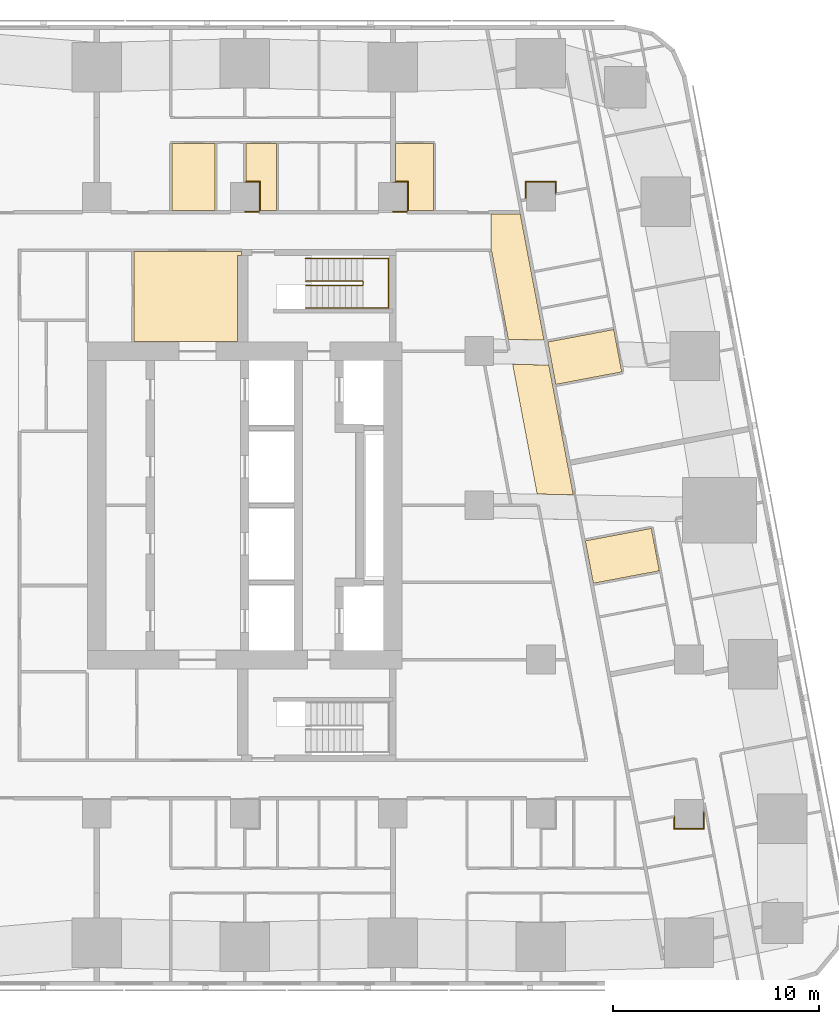
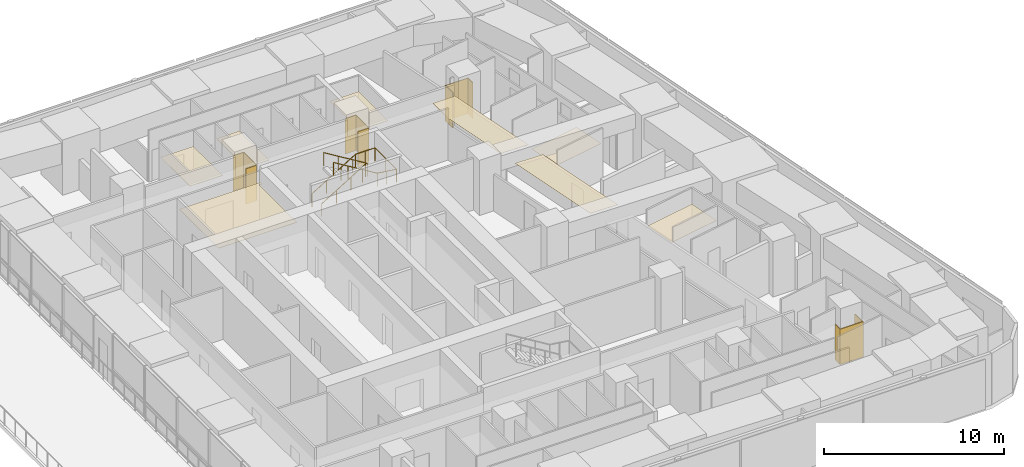
# One storey, part 17 of 17: 12 coverings, 2 railings.
"""IFC4 building model written with IfcOpenShell, lengths in metres."""

import ifcopenshell
import ifcopenshell.guid

model = None  # the IFC model being written
_history = None  # IfcOwnerHistory: only IFC2X3 demands one
_inside = {}  # id of a spatial element -> (the spatial element, [elements in it])
_under = {}  # id of a project, library or spatial element -> (it, [spatial elements below it])
_declared = {}  # id of a project -> (the project, [libraries it declares])
_typed = {}  # id of a type object -> (the type object, [elements of that type])
_made_of = {}  # id of a material, layer set ... -> (it, [elements and type objects made of it])


def new_model(schema):
    """Start an empty IFC model of exactly this schema.

    Asked for "IFC4X3", IfcOpenShell would pick the latest addendum, in which some entities
    have other attributes; the version numbers below select the first issue.
    IFC2X3 requires an IfcOwnerHistory on every rooted entity: one is made here for all.
    """
    global model, _history
    if schema == "IFC4X3":
        model = ifcopenshell.file(schema_version=(4, 3, 0, 0))
    else:
        model = ifcopenshell.file(schema=schema)
    _inside.clear()
    _under.clear()
    _declared.clear()
    _typed.clear()
    _made_of.clear()
    _history = None
    if model.schema == "IFC2X3":
        org = make("IfcOrganization", Name="unknown")
        user = make(
            "IfcPersonAndOrganization",
            ThePerson=make("IfcPerson", FamilyName="unknown"),
            TheOrganization=org,
        )
        app = make(
            "IfcApplication",
            ApplicationDeveloper=org,
            Version="unknown",
            ApplicationFullName="unknown",
            ApplicationIdentifier="unknown",
        )
        _history = make(
            "IfcOwnerHistory",
            OwningUser=user,
            OwningApplication=app,
            ChangeAction="ADDED",
            CreationDate=0,
        )
    return model


def make(cls, **values):
    """One entity of the class cls with the attributes given. An attribute that is None is left unset."""
    return model.create_entity(
        cls, **{name: value for name, value in values.items() if value is not None}
    )


def rooted(cls, **values):
    """An entity with a GlobalId (a new one), such as an element, a storey or a relation."""
    return make(cls, GlobalId=ifcopenshell.guid.new(), OwnerHistory=_history, **values)


def si_unit(unit_type, name, prefix=None):
    """IfcSIUnit, for example si_unit("LENGTHUNIT", "METRE", prefix="MILLI")."""
    return make("IfcSIUnit", UnitType=unit_type, Prefix=prefix, Name=name)


def assignment(units):
    """IfcUnitAssignment: the units of a project."""
    return None if units is None else make("IfcUnitAssignment", Units=units)


def point(xyz):
    """IfcCartesianPoint."""
    return None if xyz is None else make("IfcCartesianPoint", Coordinates=xyz)


def direction(xyz):
    """IfcDirection."""
    return None if xyz is None else make("IfcDirection", DirectionRatios=xyz)


def frame(location, z_axis=None, x_axis=None):
    """IfcAxis2Placement3D, a coordinate frame: its origin and axes. An axis left out is left unset."""
    return make(
        "IfcAxis2Placement3D",
        Location=point(location),
        Axis=direction(z_axis),
        RefDirection=direction(x_axis),
    )


def frame_2d(location, x_axis=None):
    """IfcAxis2Placement2D, a coordinate frame in the plane: its origin and x axis."""
    return make(
        "IfcAxis2Placement2D", Location=point(location), RefDirection=direction(x_axis)
    )


def origin():
    """The frame at (0, 0, 0) with its axes left unset."""
    return frame((0.0, 0.0, 0.0))


def origin_2d():
    """The frame at (0, 0) in the plane with its x axis left unset."""
    return frame_2d((0.0, 0.0))


def place(relative_to, where):
    """IfcLocalPlacement: puts the frame where relative to a parent placement (None: the world)."""
    return make(
        "IfcLocalPlacement", PlacementRelTo=relative_to, RelativePlacement=where
    )


def context(
    kind, dimensions, precision=None, world=None, true_north=None, identifier=None
):
    """IfcGeometricRepresentationContext, for example the 3D "Model" context."""
    return make(
        "IfcGeometricRepresentationContext",
        ContextIdentifier=identifier,
        ContextType=kind,
        CoordinateSpaceDimension=dimensions,
        Precision=precision,
        WorldCoordinateSystem=world,
        TrueNorth=true_north,
    )


def subcontext(parent, identifier, kind, view, scale=None):
    """IfcGeometricRepresentationSubContext, for example "Body" below "Model"."""
    return make(
        "IfcGeometricRepresentationSubContext",
        ContextIdentifier=identifier,
        ContextType=kind,
        ParentContext=parent,
        TargetScale=scale,
        TargetView=view,
    )


def project(units=None, contexts=None):
    """IfcProject with its units and contexts."""
    return rooted(
        "IfcProject",
        Name="project",
        RepresentationContexts=contexts,
        UnitsInContext=assignment(units),
    )


def spatial(cls, under=None, at=None, **own):
    """A site, building, storey or space (cls), placed at a placement, below another one or the project."""
    s = rooted(cls, ObjectPlacement=at, **own)
    if under is not None:
        _under.setdefault(under.id(), (under, []))[1].append(s)
    return s


def polyline(points):
    """IfcPolyline through the points."""
    return make("IfcPolyline", Points=[point(p) for p in points])


def profile(cls, at=None, kind="AREA", **sizes):
    """A parametric profile (cls). Its sizes go by their IFC names, for example OverallWidth=200.0."""
    return make(cls, ProfileType=kind, Position=at, **sizes)


def circle(**sizes):
    """IfcCircleProfileDef."""
    return profile("IfcCircleProfileDef", **sizes)


def outline(outer, holes=None, kind="AREA"):
    """IfcArbitraryClosedProfileDef: a profile drawn as a closed curve; with holes, ...WithVoids."""
    if holes is None:
        return make("IfcArbitraryClosedProfileDef", ProfileType=kind, OuterCurve=outer)
    return make(
        "IfcArbitraryProfileDefWithVoids",
        ProfileType=kind,
        OuterCurve=outer,
        InnerCurves=holes,
    )


def extrude(swept, where, along, depth):
    """IfcExtrudedAreaSolid: the profile swept, set in the frame where, extruded along a direction by depth."""
    return make(
        "IfcExtrudedAreaSolid",
        SweptArea=swept,
        Position=where,
        ExtrudedDirection=direction(along),
        Depth=depth,
    )


def shape(context_of_items, identifier, shape_type, items):
    """IfcShapeRepresentation: the items that make up one representation, for example the "Body"."""
    return make(
        "IfcShapeRepresentation",
        ContextOfItems=context_of_items,
        RepresentationIdentifier=identifier,
        RepresentationType=shape_type,
        Items=items,
    )


def material(Name=None, Category=None):
    """IfcMaterial."""
    return make("IfcMaterial", Name=Name, Category=Category)


def layer(
    of_material, thickness, ventilated=None, Name=None, Category=None, Priority=None
):
    """IfcMaterialLayer: one layer of a wall or slab, of a material (None: an air gap)."""
    return make(
        "IfcMaterialLayer",
        Material=of_material,
        LayerThickness=thickness,
        IsVentilated=ventilated,
        Name=Name,
        Category=Category,
        Priority=Priority,
    )


def layer_set(layers, Name=None):
    """IfcMaterialLayerSet."""
    return make("IfcMaterialLayerSet", MaterialLayers=layers, LayerSetName=Name)


def made_of(thing, what):
    """Note that an element or type object is made of a material, layer set ...; save() writes the relation."""
    if what is not None:
        _made_of.setdefault(what.id(), (what, []))[1].append(thing)
    return thing


def type_object(cls, material=None, **own):
    """A type object (cls), such as IfcWallType, which elements share."""
    return made_of(rooted(cls, **own), material)


def element(
    cls,
    number,
    at=None,
    inside=None,
    cuts=None,
    type_object=None,
    material=None,
    context=None,
    identifier="Body",
    shape_type=None,
    held_by="IfcProductDefinitionShape",
    body=None,
    shapes=None,
    **own,
):
    """One element of the class cls, such as IfcWall. Its Tag is "e" and its number.

    at: its placement. inside: the storey or other place that contains it. cuts: it is an
    opening in that element (IfcRelVoidsElement). A single representation is given by context,
    identifier, shape_type and body (its items); several are given by shapes. held_by: the class
    of the entity that holds the representations. save() writes the other relations.
    """
    e = rooted(cls, Tag="e%d" % number, ObjectPlacement=at, **own)
    if body is not None:
        shapes = [shape(context, identifier, shape_type, body)]
    if shapes is not None:
        e.Representation = make(held_by, Representations=shapes)
    if inside is not None:
        _inside.setdefault(inside.id(), (inside, []))[1].append(e)
    if cuts is not None:
        rooted(
            "IfcRelVoidsElement", RelatingBuildingElement=cuts, RelatedOpeningElement=e
        )
    if type_object is not None:
        _typed.setdefault(type_object.id(), (type_object, []))[1].append(e)
    return made_of(e, material)


def aggregate(whole, parts):
    """IfcRelAggregates: a whole, such as a stair, and the parts it consists of."""
    return rooted("IfcRelAggregates", RelatingObject=whole, RelatedObjects=parts)


def save(model, path):
    """Write the relations noted so far, then the file.

    IfcRelAggregates (storeys below a building ...), IfcRelContainedInSpatialStructure (elements
    in a storey), IfcRelDefinesByType, IfcRelAssociatesMaterial and IfcRelDeclares: one each for
    every whole, place, type object, material and project.
    """
    for whole, parts in _under.values():
        aggregate(whole, parts)
    for where, things in _inside.values():
        rooted(
            "IfcRelContainedInSpatialStructure",
            RelatedElements=things,
            RelatingStructure=where,
        )
    for kind, things in _typed.values():
        rooted("IfcRelDefinesByType", RelatedObjects=things, RelatingType=kind)
    for what, things in _made_of.values():
        rooted("IfcRelAssociatesMaterial", RelatedObjects=things, RelatingMaterial=what)
    for by, libraries in _declared.values():
        rooted("IfcRelDeclares", RelatingContext=by, RelatedDefinitions=libraries)
    model.write(path)


model = new_model("IFC4")

# Units and contexts
model_context = context("Model", 3, precision=1e-05, world=origin(), true_north=direction((0.0, 1.0)))
body_context = subcontext(model_context, "Body", "Model", "MODEL_VIEW")
ifc_project = project(units=[si_unit("LENGTHUNIT", "METRE"), si_unit("AREAUNIT", "SQUARE_METRE"), si_unit("VOLUMEUNIT", "CUBIC_METRE"), si_unit("PLANEANGLEUNIT", "RADIAN"), si_unit("MASSUNIT", "GRAM", prefix="KILO")], contexts=[model_context])

# Site, building, storey
site_placement = place(None, origin())
site = spatial("IfcSite", under=ifc_project, at=site_placement, CompositionType="ELEMENT")
building_placement = place(site_placement, origin())
building = spatial("IfcBuilding", under=site, at=building_placement, Name="Sheger Commons Tower", CompositionType="ELEMENT")
storey_placement = place(building_placement, frame((0.0, 0.0, 193.699951171875)))
storey = spatial("IfcBuildingStorey", under=building, at=storey_placement, Name="L49", CompositionType="ELEMENT", Elevation=193.699951171875)

# Railings
ifc_material_1 = material(Name="Steel handrail, black powder-coated", Category="steel")
railing_type = type_object("IfcRailingType", Name="HANDRAIL 900", PredefinedType="HANDRAIL", material=ifc_material_1)
railing_1_placement = place(storey_placement, frame((24.550048828125, 33.39990234375, 0.17041015625)))
element("IfcRailing", 1, at=railing_1_placement, inside=storey, type_object=railing_type, Name="Stair S2 handrail L49", PredefinedType="HANDRAIL", context=body_context, shape_type="SweptSolid", body=[
    extrude(circle(Radius=0.02392578125, at=origin_2d()), frame((0.0, 0.0, 0.8759765625), z_axis=(0.854169791009, 0.0, 0.51999420009), x_axis=(0.0, 1.0, 0.0)), (0.0, 0.0, 1.0), 3.278076171875),
    extrude(circle(Radius=0.02392578125, at=origin_2d()), frame((2.800048828125, 0.0, 2.58056640625), z_axis=(0.0, -0.761090297175, 0.648645943136), x_axis=(1.0, 0.0, 0.0)), (0.0, 0.0, 1.0), 0.2626953125),
    extrude(circle(Radius=0.02392578125, at=origin_2d()), frame((2.800048828125, -0.199951171875, 2.7509765625), z_axis=(-0.854169791009, 0.0, 0.51999420009), x_axis=(0.0, -1.0, 0.0)), (0.0, 0.0, 1.0), 3.278076171875),
    extrude(circle(Radius=0.02099609375, at=origin_2d()), origin(), (0.0, 0.0, 1.0), 0.851806640625),
    extrude(circle(Radius=0.02099609375, at=origin_2d()), frame((0.933349609375, 0.0, 0.568115234375)), (0.0, 0.0, 1.0), 0.851806640625),
    extrude(circle(Radius=0.02099609375, at=origin_2d()), frame((1.86669921875, 0.0, 1.136474609375)), (0.0, 0.0, 1.0), 0.851806640625),
    extrude(circle(Radius=0.02099609375, at=origin_2d()), frame((2.800048828125, 0.0, 1.70458984375)), (0.0, 0.0, 1.0), 0.851806640625),
    extrude(circle(Radius=0.02099609375, at=origin_2d()), frame((2.800048828125, -0.199951171875, 1.875)), (0.0, 0.0, 1.0), 0.851806640625),
    extrude(circle(Radius=0.02099609375, at=origin_2d()), frame((1.86669921875, -0.199951171875, 2.443115234375)), (0.0, 0.0, 1.0), 0.851806640625),
    extrude(circle(Radius=0.02099609375, at=origin_2d()), frame((0.933349609375, -0.199951171875, 3.011474609375)), (0.0, 0.0, 1.0), 0.851806640625),
    extrude(circle(Radius=0.02099609375, at=origin_2d()), frame((0.0, -0.199951171875, 3.57958984375)), (0.0, 0.0, 1.0), 0.851806640625),
])
railing_2_placement = place(storey_placement, frame((24.550048828125, 34.5, 0.17041015625)))
element("IfcRailing", 2, at=railing_2_placement, inside=storey, type_object=railing_type, Name="Stair S2 handrail L49", PredefinedType="HANDRAIL", context=body_context, shape_type="SweptSolid", body=[
    extrude(circle(Radius=0.02392578125, at=origin_2d()), frame((0.0, 0.0, 0.8759765625), z_axis=(0.854169791009, 0.0, 0.51999420009), x_axis=(0.0, 1.0, 0.0)), (0.0, 0.0, 1.0), 3.278076171875),
    extrude(circle(Radius=0.02392578125, at=origin_2d()), frame((2.800048828125, 0.0, 2.58056640625), z_axis=(1.0, 0.0, 0.0), x_axis=(0.0, 1.0, 0.0)), (0.0, 0.0, 1.0), 1.25),
    extrude(circle(Radius=0.02392578125, at=origin_2d()), frame((4.050048828125, 0.0, 2.58056640625), z_axis=(0.0, -1.0, 0.0), x_axis=(1.0, 0.0, 0.0)), (0.0, 0.0, 1.0), 2.39990234375),
    extrude(circle(Radius=0.02392578125, at=origin_2d()), frame((4.050048828125, -2.39990234375, 2.58056640625), z_axis=(-0.990834877927, 0.0, 0.135078661092), x_axis=(0.0, -1.0, 0.0)), (0.0, 0.0, 1.0), 1.261474609375),
    extrude(circle(Radius=0.02392578125, at=origin_2d()), frame((2.800048828125, -2.39990234375, 2.7509765625), z_axis=(-0.854169791009, 0.0, 0.51999420009), x_axis=(0.0, -1.0, 0.0)), (0.0, 0.0, 1.0), 3.278076171875),
    extrude(circle(Radius=0.02099609375, at=origin_2d()), origin(), (0.0, 0.0, 1.0), 0.851806640625),
    extrude(circle(Radius=0.02099609375, at=origin_2d()), frame((0.933349609375, 0.0, 0.568115234375)), (0.0, 0.0, 1.0), 0.851806640625),
    extrude(circle(Radius=0.02099609375, at=origin_2d()), frame((1.86669921875, 0.0, 1.136474609375)), (0.0, 0.0, 1.0), 0.851806640625),
    extrude(circle(Radius=0.02099609375, at=origin_2d()), frame((2.800048828125, 0.0, 1.70458984375)), (0.0, 0.0, 1.0), 0.851806640625),
    extrude(circle(Radius=0.02099609375, at=origin_2d()), frame((3.425048828125, 0.0, 1.70458984375)), (0.0, 0.0, 1.0), 0.851806640625),
    extrude(circle(Radius=0.02099609375, at=origin_2d()), frame((4.050048828125, 0.0, 1.70458984375)), (0.0, 0.0, 1.0), 0.851806640625),
    extrude(circle(Radius=0.02099609375, at=origin_2d()), frame((4.050048828125, -1.199951171875, 1.70458984375)), (0.0, 0.0, 1.0), 0.851806640625),
    extrude(circle(Radius=0.02099609375, at=origin_2d()), frame((4.050048828125, -2.39990234375, 1.70458984375)), (0.0, 0.0, 1.0), 0.851806640625),
    extrude(circle(Radius=0.02099609375, at=origin_2d()), frame((3.425048828125, -2.39990234375, 1.789794921875)), (0.0, 0.0, 1.0), 0.851806640625),
    extrude(circle(Radius=0.02099609375, at=origin_2d()), frame((2.800048828125, -2.39990234375, 1.875)), (0.0, 0.0, 1.0), 0.851806640625),
    extrude(circle(Radius=0.02099609375, at=origin_2d()), frame((1.86669921875, -2.39990234375, 2.443115234375)), (0.0, 0.0, 1.0), 0.851806640625),
    extrude(circle(Radius=0.02099609375, at=origin_2d()), frame((0.933349609375, -2.39990234375, 3.011474609375)), (0.0, 0.0, 1.0), 0.851806640625),
    extrude(circle(Radius=0.02099609375, at=origin_2d()), frame((0.0, -2.39990234375, 3.57958984375)), (0.0, 0.0, 1.0), 0.851806640625),
])

# Coverings
ifc_material_2 = material(Name="Moisture-resistant gypsum plasterboard 15 mm on a suspended galvanised steel grid", Category="steel")
ifc_layer_1 = layer(ifc_material_2, 0.014892578125)
ifc_layer_set_1 = layer_set([ifc_layer_1], Name="MOISTURE-RESISTANT CEILING 15")
covering_type_1 = type_object("IfcCoveringType", Name="MOISTURE-RESISTANT CEILING 15", PredefinedType="CEILING", material=ifc_layer_set_1)
covering_1_placement = place(storey_placement, frame((0.0, 0.0, 2.400146484375)))
element("IfcCovering", 3, at=covering_1_placement, inside=storey, type_object=covering_type_1, Name="L49-04.B1 ceiling", PredefinedType="CEILING", context=body_context, shape_type="SweptSolid", body=[
    extrude(outline(polyline([(36.72509765625, 28.37890625), (39.93310546875, 28.986083984375), (39.54296875, 31.049072265625), (36.3349609375, 30.443115234375), (36.72509765625, 28.37890625)])), origin(), (0.0, 0.0, 1.0), 0.014892578125),
])
covering_2_placement = place(storey_placement, frame((0.0, 0.0, 2.400146484375)))
element("IfcCovering", 4, at=covering_2_placement, inside=storey, type_object=covering_type_1, Name="L49-05.B1 ceiling", PredefinedType="CEILING", context=body_context, shape_type="SweptSolid", body=[
    extrude(outline(polyline([(38.552001953125, 18.7080078125), (41.760009765625, 19.31396484375), (41.3701171875, 21.3779296875), (38.162109375, 20.77197265625), (38.552001953125, 18.7080078125)])), origin(), (0.0, 0.0, 1.0), 0.014892578125),
])
covering_3_placement = place(storey_placement, frame((0.0, 0.0, 2.400146484375)))
element("IfcCovering", 5, at=covering_3_placement, inside=storey, type_object=covering_type_1, Name="L49-08.B1 ceiling", PredefinedType="CEILING", context=body_context, shape_type="SweptSolid", body=[
    extrude(outline(polyline([(18.054931640625, 36.830078125), (20.155029296875, 36.830078125), (20.155029296875, 40.094970703125), (18.054931640625, 40.094970703125), (18.054931640625, 36.830078125)])), origin(), (0.0, 0.0, 1.0), 0.014892578125),
])
covering_4_placement = place(storey_placement, frame((0.0, 0.0, 2.400146484375)))
element("IfcCovering", 6, at=covering_4_placement, inside=storey, type_object=covering_type_1, Name="L49-08.B2 ceiling", PredefinedType="CEILING", context=body_context, shape_type="SweptSolid", body=[
    extrude(outline(polyline([(22.304931640625, 36.830078125), (23.14501953125, 36.830078125), (23.14501953125, 40.094970703125), (21.655029296875, 40.094970703125), (21.655029296875, 38.205078125), (22.304931640625, 38.205078125), (22.304931640625, 36.830078125)])), origin(), (0.0, 0.0, 1.0), 0.014892578125),
])
covering_5_placement = place(storey_placement, frame((0.0, 0.0, 2.400146484375)))
element("IfcCovering", 7, at=covering_5_placement, inside=storey, type_object=covering_type_1, Name="L49-09.B1 ceiling", PredefinedType="CEILING", context=body_context, shape_type="SweptSolid", body=[
    extrude(outline(polyline([(29.5048828125, 36.830078125), (30.77392578125, 36.830078125), (30.77392578125, 40.094970703125), (28.929931640625, 40.094970703125), (28.929931640625, 38.205078125), (29.5048828125, 38.205078125), (29.5048828125, 36.830078125)])), origin(), (0.0, 0.0, 1.0), 0.014892578125),
])
ifc_material_3 = material(Name="Gypsum plasterboard 15 mm on a suspended steel grid", Category="steel")
ifc_layer_2 = layer(ifc_material_3, 0.014892578125)
ifc_layer_set_2 = layer_set([ifc_layer_2], Name="SUSPENDED CEILING 15")
covering_type_2 = type_object("IfcCoveringType", Name="SUSPENDED CEILING 15", PredefinedType="CEILING", material=ifc_layer_set_2)
covering_6_placement = place(storey_placement, frame((0.0, 0.0, 2.699951171875)))
element("IfcCovering", 8, at=covering_6_placement, inside=storey, type_object=covering_type_2, Name="L49-CO ceiling", PredefinedType="CEILING", context=body_context, shape_type="SweptSolid", body=[
    extrude(outline(polyline([(37.575927734375, 23.011962890625), (36.385009765625, 29.318115234375), (34.626953125, 29.35791015625), (35.819091796875, 23.048095703125), (37.575927734375, 23.011962890625)])), origin(), (0.0, 0.0, 1.0), 0.01513671875),
])
covering_7_placement = place(storey_placement, frame((0.0, 0.0, 2.699951171875)))
element("IfcCovering", 9, at=covering_7_placement, inside=storey, type_object=covering_type_2, Name="L49-CO ceiling", PredefinedType="CEILING", context=body_context, shape_type="SweptSolid", body=[
    extrude(outline(polyline([(36.155029296875, 30.533935546875), (34.98095703125, 36.75), (34.97705078125, 36.75), (34.97705078125, 36.669921875), (33.572998046875, 36.669921875), (33.572998046875, 34.947998046875), (33.571044921875, 34.947998046875), (33.589111328125, 34.85205078125), (33.60595703125, 34.85498046875), (34.416015625, 30.572998046875), (36.155029296875, 30.533935546875)])), origin(), (0.0, 0.0, 1.0), 0.01513671875),
])
covering_8_placement = place(storey_placement, frame((0.0, 0.0, 2.699951171875)))
element("IfcCovering", 10, at=covering_8_placement, inside=storey, type_object=covering_type_2, Name="L49-SVN1 ceiling", PredefinedType="CEILING", context=body_context, shape_type="SweptSolid", body=[
    extrude(outline(polyline([(16.217041015625, 30.455078125), (21.2451171875, 30.455078125), (21.2451171875, 34.655029296875), (21.445068359375, 34.655029296875), (21.445068359375, 34.83203125), (16.217041015625, 34.83203125), (16.217041015625, 30.455078125)])), origin(), (0.0, 0.0, 1.0), 0.01513671875),
])
ifc_material_4 = material(Name="Moisture-resistant gypsum board 12.5 mm on 25 mm treated timber battens, tanked and tiled", Category="wood")
ifc_layer_3 = layer(ifc_material_4, 0.050048828125)
ifc_layer_set_3 = layer_set([ifc_layer_3], Name="WET-ROOM COLUMN LINING")
covering_type_3 = type_object("IfcCoveringType", Name="WET-ROOM COLUMN LINING", PredefinedType="CLADDING", material=ifc_layer_set_3)
covering_9_placement = place(storey_placement, origin())
element("IfcCovering", 11, at=covering_9_placement, inside=storey, type_object=covering_type_3, Name="Bathroom column lining C11 L49", PredefinedType="CLADDING", context=body_context, shape_type="SweptSolid", body=[
    extrude(outline(polyline([(42.5, 7.367919921875), (42.5, 6.800048828125), (43.89990234375, 6.800048828125), (43.89990234375, 7.633056640625), (43.909912109375, 7.635009765625), (43.9189453125, 7.5859375), (43.949951171875, 7.592041015625), (43.949951171875, 6.75), (42.449951171875, 6.75), (42.449951171875, 7.30908203125), (42.4990234375, 7.318115234375), (42.489990234375, 7.365966796875), (42.5, 7.367919921875)])), origin(), (0.0, 0.0, 1.0), 2.400146484375),
])
covering_10_placement = place(storey_placement, origin())
element("IfcCovering", 12, at=covering_10_placement, inside=storey, type_object=covering_type_3, Name="Shower room column lining C11 L49", PredefinedType="CLADDING", context=body_context, shape_type="SweptSolid", body=[
    extrude(outline(polyline([(22.35009765625, 36.824951171875), (22.301025390625, 36.824951171875), (22.301025390625, 36.75), (21.60009765625, 36.75), (21.60009765625, 36.800048828125), (22.300048828125, 36.800048828125), (22.300048828125, 38.199951171875), (21.60009765625, 38.199951171875), (21.60009765625, 38.200927734375), (21.64990234375, 38.200927734375), (21.64990234375, 38.25), (22.35009765625, 38.25), (22.35009765625, 36.824951171875)])), origin(), (0.0, 0.0, 1.0), 2.400146484375),
])
covering_11_placement = place(storey_placement, origin())
element("IfcCovering", 13, at=covering_11_placement, inside=storey, type_object=covering_type_3, Name="Shower room column lining C11 L49", PredefinedType="CLADDING", context=body_context, shape_type="SweptSolid", body=[
    extrude(outline(polyline([(29.550048828125, 36.824951171875), (29.5009765625, 36.824951171875), (29.5009765625, 36.75), (28.800048828125, 36.75), (28.800048828125, 36.800048828125), (29.5, 36.800048828125), (29.5, 38.199951171875), (28.800048828125, 38.199951171875), (28.800048828125, 38.200927734375), (28.925048828125, 38.200927734375), (28.925048828125, 38.25), (29.550048828125, 38.25), (29.550048828125, 36.824951171875)])), origin(), (0.0, 0.0, 1.0), 2.400146484375),
])
covering_12_placement = place(storey_placement, origin())
element("IfcCovering", 14, at=covering_12_placement, inside=storey, type_object=covering_type_3, Name="Laundry room column lining C11 L49", PredefinedType="CLADDING", context=body_context, shape_type="SweptSolid", body=[
    extrude(outline(polyline([(36.75, 38.25), (36.75, 37.69189453125), (36.700927734375, 37.68310546875), (36.7099609375, 37.635009765625), (36.699951171875, 37.633056640625), (36.699951171875, 38.199951171875), (35.300048828125, 38.199951171875), (35.300048828125, 37.367919921875), (35.2900390625, 37.365966796875), (35.281005859375, 37.4150390625), (35.25, 37.408935546875), (35.25, 38.25), (36.75, 38.25)])), origin(), (0.0, 0.0, 1.0), 2.400146484375),
])

save(model, "model.ifc")
